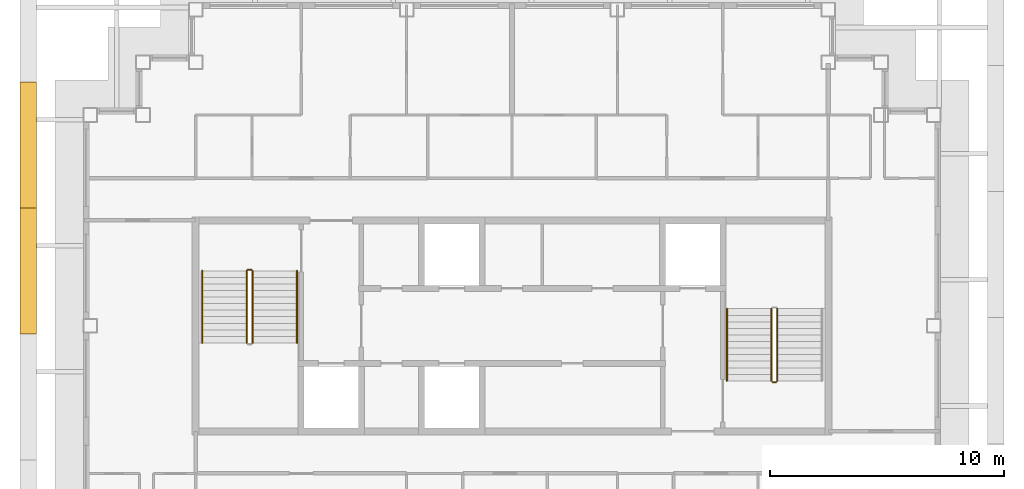
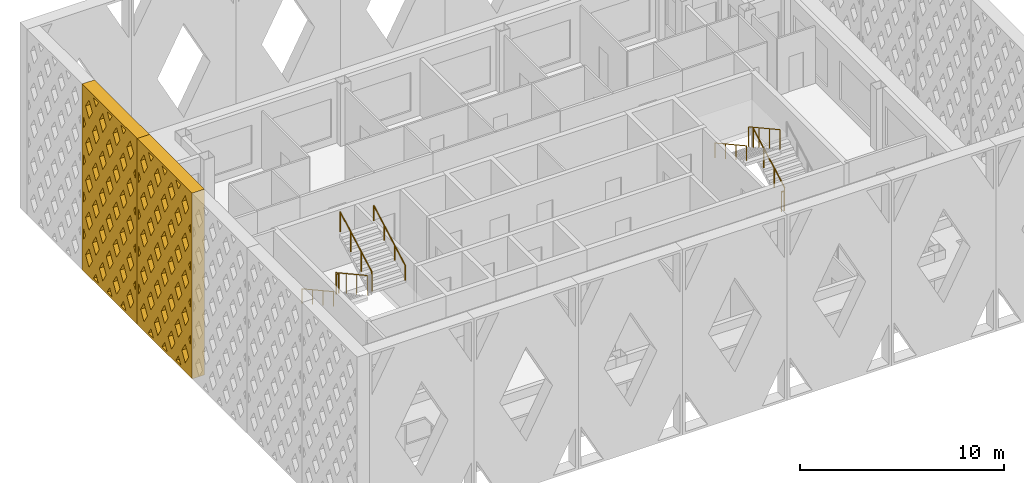
# One storey, part 10 of 13: 9 railings, 2 shading devices.
"""IFC4 building model written with IfcOpenShell, lengths in metres."""

from ifc_helpers import new_model, si_unit, direction, frame, origin, origin_2d, place, context, subcontext, project, spatial, polyline, circle, outline, extrude, material, type_object, element, save


model = new_model("IFC4")

# Units and contexts
model_context = context("Model", 3, precision=1e-05, world=origin(), true_north=direction((0.0, 1.0)))
body_context = subcontext(model_context, "Body", "Model", "MODEL_VIEW")
ifc_project = project(units=[si_unit("LENGTHUNIT", "METRE"), si_unit("AREAUNIT", "SQUARE_METRE"), si_unit("VOLUMEUNIT", "CUBIC_METRE"), si_unit("PLANEANGLEUNIT", "RADIAN"), si_unit("MASSUNIT", "GRAM", prefix="KILO")], contexts=[model_context])

# Site, building, storey
site_placement = place(None, origin())
site = spatial("IfcSite", under=ifc_project, at=site_placement, CompositionType="ELEMENT")
building_placement = place(site_placement, origin())
building = spatial("IfcBuilding", under=site, at=building_placement, Name="Caravel Reach Hotel and Residences", CompositionType="ELEMENT")
storey_placement = place(building_placement, frame((0.0, 0.0, 283.39990234375)))
storey = spatial("IfcBuildingStorey", under=building, at=storey_placement, Name="L72", CompositionType="ELEMENT", Elevation=283.39990234375)

# Shading devices
ifc_material_1 = material(Name="Black powder-coated aluminium", Category="aluminium")
shading_device_type = type_object("IfcShadingDeviceType", Name="Diamond lattice screen panel 5383 x 11100", PredefinedType="USERDEFINED", material=ifc_material_1)
shading_device_1_placement = place(storey_placement, frame((11.199951171875, 37.416748046875, 0.0), z_axis=(-1.0, 0.0, 0.0), x_axis=(0.0, -1.0, 0.0)))
element("IfcShadingDevice", 1, at=shading_device_1_placement, inside=storey, type_object=shading_device_type, Name="Lattice screen L72-L74 3.2", ObjectType="SCREEN", PredefinedType="USERDEFINED", context=body_context, shape_type="SweptSolid", body=[
    extrude(outline(polyline([(0.0, 0.0), (5.38330078125, 0.0), (5.38330078125, 11.10009765625), (0.0, 11.10009765625), (0.0, 0.0)]), holes=[polyline([(0.338134765625, 2.219970703125), (0.14990234375, 2.530517578125), (0.14990234375, 1.90966796875), (0.338134765625, 2.219970703125)]), polyline([(0.338134765625, 4.43994140625), (0.14990234375, 4.75048828125), (0.14990234375, 4.129638671875), (0.338134765625, 4.43994140625)]), polyline([(0.338134765625, 6.659912109375), (0.14990234375, 6.970458984375), (0.14990234375, 6.349609375), (0.338134765625, 6.659912109375)]), polyline([(0.338134765625, 8.8798828125), (0.14990234375, 9.1904296875), (0.14990234375, 8.569580078125), (0.338134765625, 8.8798828125)]), polyline([(0.6728515625, 1.667724609375), (0.334716796875, 1.110107421875), (0.6728515625, 0.55224609375), (1.010986328125, 1.110107421875), (0.6728515625, 1.667724609375)]), polyline([(0.6728515625, 3.887939453125), (0.334716796875, 3.330078125), (0.6728515625, 2.772216796875), (1.010986328125, 3.330078125), (0.6728515625, 3.887939453125)]), polyline([(0.6728515625, 6.10791015625), (0.334716796875, 5.550048828125), (0.6728515625, 4.9921875), (1.010986328125, 5.550048828125), (0.6728515625, 6.10791015625)]), polyline([(0.6728515625, 8.327880859375), (0.334716796875, 7.77001953125), (0.6728515625, 7.212158203125), (1.010986328125, 7.77001953125), (0.6728515625, 8.327880859375)]), polyline([(0.6728515625, 10.5478515625), (0.334716796875, 9.989990234375), (0.6728515625, 9.43212890625), (1.010986328125, 9.989990234375), (0.6728515625, 10.5478515625)]), polyline([(1.345947265625, 0.557861328125), (1.0986328125, 0.14990234375), (1.593017578125, 0.14990234375), (1.345947265625, 0.557861328125)]), polyline([(1.345947265625, 2.77783203125), (1.007568359375, 2.219970703125), (1.345947265625, 1.662109375), (1.68408203125, 2.219970703125), (1.345947265625, 2.77783203125)]), polyline([(1.345947265625, 4.997802734375), (1.007568359375, 4.43994140625), (1.345947265625, 3.882080078125), (1.68408203125, 4.43994140625), (1.345947265625, 4.997802734375)]), polyline([(1.345947265625, 7.2177734375), (1.007568359375, 6.659912109375), (1.345947265625, 6.10205078125), (1.68408203125, 6.659912109375), (1.345947265625, 7.2177734375)]), polyline([(1.345947265625, 9.437744140625), (1.007568359375, 8.8798828125), (1.345947265625, 8.322265625), (1.68408203125, 8.8798828125), (1.345947265625, 9.437744140625)]), polyline([(1.345947265625, 10.542236328125), (1.593017578125, 10.949951171875), (1.0986328125, 10.949951171875), (1.345947265625, 10.542236328125)]), polyline([(2.018798828125, 1.667724609375), (1.6806640625, 1.110107421875), (2.018798828125, 0.55224609375), (2.35693359375, 1.110107421875), (2.018798828125, 1.667724609375)]), polyline([(2.018798828125, 3.887939453125), (1.6806640625, 3.330078125), (2.018798828125, 2.772216796875), (2.35693359375, 3.330078125), (2.018798828125, 3.887939453125)]), polyline([(2.018798828125, 6.10791015625), (1.6806640625, 5.550048828125), (2.018798828125, 4.9921875), (2.35693359375, 5.550048828125), (2.018798828125, 6.10791015625)]), polyline([(2.018798828125, 8.327880859375), (1.6806640625, 7.77001953125), (2.018798828125, 7.212158203125), (2.35693359375, 7.77001953125), (2.018798828125, 8.327880859375)]), polyline([(2.018798828125, 10.5478515625), (1.6806640625, 9.989990234375), (2.018798828125, 9.43212890625), (2.35693359375, 9.989990234375), (2.018798828125, 10.5478515625)]), polyline([(2.691650390625, 0.557861328125), (2.4443359375, 0.14990234375), (2.93896484375, 0.14990234375), (2.691650390625, 0.557861328125)]), polyline([(2.691650390625, 2.77783203125), (2.353515625, 2.219970703125), (2.691650390625, 1.662109375), (3.02978515625, 2.219970703125), (2.691650390625, 2.77783203125)]), polyline([(2.691650390625, 4.997802734375), (2.353515625, 4.43994140625), (2.691650390625, 3.882080078125), (3.02978515625, 4.43994140625), (2.691650390625, 4.997802734375)]), polyline([(2.691650390625, 7.2177734375), (2.353515625, 6.659912109375), (2.691650390625, 6.10205078125), (3.02978515625, 6.659912109375), (2.691650390625, 7.2177734375)]), polyline([(2.691650390625, 9.437744140625), (2.353515625, 8.8798828125), (2.691650390625, 8.322265625), (3.02978515625, 8.8798828125), (2.691650390625, 9.437744140625)]), polyline([(2.691650390625, 10.542236328125), (2.93896484375, 10.949951171875), (2.4443359375, 10.949951171875), (2.691650390625, 10.542236328125)]), polyline([(3.364501953125, 1.667724609375), (3.0263671875, 1.110107421875), (3.364501953125, 0.55224609375), (3.702880859375, 1.110107421875), (3.364501953125, 1.667724609375)]), polyline([(3.364501953125, 3.887939453125), (3.0263671875, 3.330078125), (3.364501953125, 2.772216796875), (3.702880859375, 3.330078125), (3.364501953125, 3.887939453125)]), polyline([(3.364501953125, 6.10791015625), (3.0263671875, 5.550048828125), (3.364501953125, 4.9921875), (3.702880859375, 5.550048828125), (3.364501953125, 6.10791015625)]), polyline([(3.364501953125, 8.327880859375), (3.0263671875, 7.77001953125), (3.364501953125, 7.212158203125), (3.702880859375, 7.77001953125), (3.364501953125, 8.327880859375)]), polyline([(3.364501953125, 10.5478515625), (3.0263671875, 9.989990234375), (3.364501953125, 9.43212890625), (3.702880859375, 9.989990234375), (3.364501953125, 10.5478515625)]), polyline([(4.03759765625, 0.557861328125), (3.790283203125, 0.14990234375), (4.28466796875, 0.14990234375), (4.03759765625, 0.557861328125)]), polyline([(4.03759765625, 2.77783203125), (3.69921875, 2.219970703125), (4.03759765625, 1.662109375), (4.375732421875, 2.219970703125), (4.03759765625, 2.77783203125)]), polyline([(4.03759765625, 4.997802734375), (3.69921875, 4.43994140625), (4.03759765625, 3.882080078125), (4.375732421875, 4.43994140625), (4.03759765625, 4.997802734375)]), polyline([(4.03759765625, 7.2177734375), (3.69921875, 6.659912109375), (4.03759765625, 6.10205078125), (4.375732421875, 6.659912109375), (4.03759765625, 7.2177734375)]), polyline([(4.03759765625, 9.437744140625), (3.69921875, 8.8798828125), (4.03759765625, 8.322265625), (4.375732421875, 8.8798828125), (4.03759765625, 9.437744140625)]), polyline([(4.03759765625, 10.542236328125), (4.28466796875, 10.949951171875), (3.790283203125, 10.949951171875), (4.03759765625, 10.542236328125)]), polyline([(4.71044921875, 1.667724609375), (4.372314453125, 1.110107421875), (4.71044921875, 0.55224609375), (5.048583984375, 1.110107421875), (4.71044921875, 1.667724609375)]), polyline([(4.71044921875, 3.887939453125), (4.372314453125, 3.330078125), (4.71044921875, 2.772216796875), (5.048583984375, 3.330078125), (4.71044921875, 3.887939453125)]), polyline([(4.71044921875, 6.10791015625), (4.372314453125, 5.550048828125), (4.71044921875, 4.9921875), (5.048583984375, 5.550048828125), (4.71044921875, 6.10791015625)]), polyline([(4.71044921875, 8.327880859375), (4.372314453125, 7.77001953125), (4.71044921875, 7.212158203125), (5.048583984375, 7.77001953125), (4.71044921875, 8.327880859375)]), polyline([(4.71044921875, 10.5478515625), (4.372314453125, 9.989990234375), (4.71044921875, 9.43212890625), (5.048583984375, 9.989990234375), (4.71044921875, 10.5478515625)]), polyline([(5.045166015625, 2.219970703125), (5.2333984375, 1.90966796875), (5.2333984375, 2.530517578125), (5.045166015625, 2.219970703125)]), polyline([(5.045166015625, 4.43994140625), (5.2333984375, 4.129638671875), (5.2333984375, 4.75048828125), (5.045166015625, 4.43994140625)]), polyline([(5.045166015625, 6.659912109375), (5.2333984375, 6.349609375), (5.2333984375, 6.970458984375), (5.045166015625, 6.659912109375)]), polyline([(5.045166015625, 8.8798828125), (5.2333984375, 8.569580078125), (5.2333984375, 9.1904296875), (5.045166015625, 8.8798828125)])]), origin(), (0.0, 0.0, 1.0), 0.699951171875),
])
shading_device_2_placement = place(storey_placement, frame((11.199951171875, 32.033447265625, 0.0), z_axis=(-1.0, 0.0, 0.0), x_axis=(0.0, -1.0, 0.0)))
element("IfcShadingDevice", 2, at=shading_device_2_placement, inside=storey, type_object=shading_device_type, Name="Lattice screen L72-L74 3.3", ObjectType="SCREEN", PredefinedType="USERDEFINED", context=body_context, shape_type="SweptSolid", body=[
    extrude(outline(polyline([(0.0, 0.0), (5.38330078125, 0.0), (5.38330078125, 11.10009765625), (0.0, 11.10009765625), (0.0, 0.0)]), holes=[polyline([(0.338134765625, 2.219970703125), (0.14990234375, 2.530517578125), (0.14990234375, 1.90966796875), (0.338134765625, 2.219970703125)]), polyline([(0.338134765625, 4.43994140625), (0.14990234375, 4.75048828125), (0.14990234375, 4.129638671875), (0.338134765625, 4.43994140625)]), polyline([(0.338134765625, 6.659912109375), (0.14990234375, 6.970458984375), (0.14990234375, 6.349609375), (0.338134765625, 6.659912109375)]), polyline([(0.338134765625, 8.8798828125), (0.14990234375, 9.1904296875), (0.14990234375, 8.569580078125), (0.338134765625, 8.8798828125)]), polyline([(0.6728515625, 1.667724609375), (0.334716796875, 1.110107421875), (0.6728515625, 0.55224609375), (1.010986328125, 1.110107421875), (0.6728515625, 1.667724609375)]), polyline([(0.6728515625, 3.887939453125), (0.334716796875, 3.330078125), (0.6728515625, 2.772216796875), (1.010986328125, 3.330078125), (0.6728515625, 3.887939453125)]), polyline([(0.6728515625, 6.10791015625), (0.334716796875, 5.550048828125), (0.6728515625, 4.9921875), (1.010986328125, 5.550048828125), (0.6728515625, 6.10791015625)]), polyline([(0.6728515625, 8.327880859375), (0.334716796875, 7.77001953125), (0.6728515625, 7.212158203125), (1.010986328125, 7.77001953125), (0.6728515625, 8.327880859375)]), polyline([(0.6728515625, 10.5478515625), (0.334716796875, 9.989990234375), (0.6728515625, 9.43212890625), (1.010986328125, 9.989990234375), (0.6728515625, 10.5478515625)]), polyline([(1.345947265625, 0.557861328125), (1.0986328125, 0.14990234375), (1.593017578125, 0.14990234375), (1.345947265625, 0.557861328125)]), polyline([(1.345947265625, 2.77783203125), (1.007568359375, 2.219970703125), (1.345947265625, 1.662109375), (1.68408203125, 2.219970703125), (1.345947265625, 2.77783203125)]), polyline([(1.345947265625, 4.997802734375), (1.007568359375, 4.43994140625), (1.345947265625, 3.882080078125), (1.68408203125, 4.43994140625), (1.345947265625, 4.997802734375)]), polyline([(1.345947265625, 7.2177734375), (1.007568359375, 6.659912109375), (1.345947265625, 6.10205078125), (1.68408203125, 6.659912109375), (1.345947265625, 7.2177734375)]), polyline([(1.345947265625, 9.437744140625), (1.007568359375, 8.8798828125), (1.345947265625, 8.322265625), (1.68408203125, 8.8798828125), (1.345947265625, 9.437744140625)]), polyline([(1.345947265625, 10.542236328125), (1.593017578125, 10.949951171875), (1.0986328125, 10.949951171875), (1.345947265625, 10.542236328125)]), polyline([(2.018798828125, 1.667724609375), (1.6806640625, 1.110107421875), (2.018798828125, 0.55224609375), (2.35693359375, 1.110107421875), (2.018798828125, 1.667724609375)]), polyline([(2.018798828125, 3.887939453125), (1.6806640625, 3.330078125), (2.018798828125, 2.772216796875), (2.35693359375, 3.330078125), (2.018798828125, 3.887939453125)]), polyline([(2.018798828125, 6.10791015625), (1.6806640625, 5.550048828125), (2.018798828125, 4.9921875), (2.35693359375, 5.550048828125), (2.018798828125, 6.10791015625)]), polyline([(2.018798828125, 8.327880859375), (1.6806640625, 7.77001953125), (2.018798828125, 7.212158203125), (2.35693359375, 7.77001953125), (2.018798828125, 8.327880859375)]), polyline([(2.018798828125, 10.5478515625), (1.6806640625, 9.989990234375), (2.018798828125, 9.43212890625), (2.35693359375, 9.989990234375), (2.018798828125, 10.5478515625)]), polyline([(2.691650390625, 0.557861328125), (2.4443359375, 0.14990234375), (2.93896484375, 0.14990234375), (2.691650390625, 0.557861328125)]), polyline([(2.691650390625, 2.77783203125), (2.353515625, 2.219970703125), (2.691650390625, 1.662109375), (3.02978515625, 2.219970703125), (2.691650390625, 2.77783203125)]), polyline([(2.691650390625, 4.997802734375), (2.353515625, 4.43994140625), (2.691650390625, 3.882080078125), (3.02978515625, 4.43994140625), (2.691650390625, 4.997802734375)]), polyline([(2.691650390625, 7.2177734375), (2.353515625, 6.659912109375), (2.691650390625, 6.10205078125), (3.02978515625, 6.659912109375), (2.691650390625, 7.2177734375)]), polyline([(2.691650390625, 9.437744140625), (2.353515625, 8.8798828125), (2.691650390625, 8.322265625), (3.02978515625, 8.8798828125), (2.691650390625, 9.437744140625)]), polyline([(2.691650390625, 10.542236328125), (2.93896484375, 10.949951171875), (2.4443359375, 10.949951171875), (2.691650390625, 10.542236328125)]), polyline([(3.364501953125, 1.667724609375), (3.0263671875, 1.110107421875), (3.364501953125, 0.55224609375), (3.702880859375, 1.110107421875), (3.364501953125, 1.667724609375)]), polyline([(3.364501953125, 3.887939453125), (3.0263671875, 3.330078125), (3.364501953125, 2.772216796875), (3.702880859375, 3.330078125), (3.364501953125, 3.887939453125)]), polyline([(3.364501953125, 6.10791015625), (3.0263671875, 5.550048828125), (3.364501953125, 4.9921875), (3.702880859375, 5.550048828125), (3.364501953125, 6.10791015625)]), polyline([(3.364501953125, 8.327880859375), (3.0263671875, 7.77001953125), (3.364501953125, 7.212158203125), (3.702880859375, 7.77001953125), (3.364501953125, 8.327880859375)]), polyline([(3.364501953125, 10.5478515625), (3.0263671875, 9.989990234375), (3.364501953125, 9.43212890625), (3.702880859375, 9.989990234375), (3.364501953125, 10.5478515625)]), polyline([(4.03759765625, 0.557861328125), (3.790283203125, 0.14990234375), (4.28466796875, 0.14990234375), (4.03759765625, 0.557861328125)]), polyline([(4.03759765625, 2.77783203125), (3.69921875, 2.219970703125), (4.03759765625, 1.662109375), (4.375732421875, 2.219970703125), (4.03759765625, 2.77783203125)]), polyline([(4.03759765625, 4.997802734375), (3.69921875, 4.43994140625), (4.03759765625, 3.882080078125), (4.375732421875, 4.43994140625), (4.03759765625, 4.997802734375)]), polyline([(4.03759765625, 7.2177734375), (3.69921875, 6.659912109375), (4.03759765625, 6.10205078125), (4.375732421875, 6.659912109375), (4.03759765625, 7.2177734375)]), polyline([(4.03759765625, 9.437744140625), (3.69921875, 8.8798828125), (4.03759765625, 8.322265625), (4.375732421875, 8.8798828125), (4.03759765625, 9.437744140625)]), polyline([(4.03759765625, 10.542236328125), (4.28466796875, 10.949951171875), (3.790283203125, 10.949951171875), (4.03759765625, 10.542236328125)]), polyline([(4.71044921875, 1.667724609375), (4.372314453125, 1.110107421875), (4.71044921875, 0.55224609375), (5.048583984375, 1.110107421875), (4.71044921875, 1.667724609375)]), polyline([(4.71044921875, 3.887939453125), (4.372314453125, 3.330078125), (4.71044921875, 2.772216796875), (5.048583984375, 3.330078125), (4.71044921875, 3.887939453125)]), polyline([(4.71044921875, 6.10791015625), (4.372314453125, 5.550048828125), (4.71044921875, 4.9921875), (5.048583984375, 5.550048828125), (4.71044921875, 6.10791015625)]), polyline([(4.71044921875, 8.327880859375), (4.372314453125, 7.77001953125), (4.71044921875, 7.212158203125), (5.048583984375, 7.77001953125), (4.71044921875, 8.327880859375)]), polyline([(4.71044921875, 10.5478515625), (4.372314453125, 9.989990234375), (4.71044921875, 9.43212890625), (5.048583984375, 9.989990234375), (4.71044921875, 10.5478515625)]), polyline([(5.045166015625, 2.219970703125), (5.2333984375, 1.90966796875), (5.2333984375, 2.530517578125), (5.045166015625, 2.219970703125)]), polyline([(5.045166015625, 4.43994140625), (5.2333984375, 4.129638671875), (5.2333984375, 4.75048828125), (5.045166015625, 4.43994140625)]), polyline([(5.045166015625, 6.659912109375), (5.2333984375, 6.349609375), (5.2333984375, 6.970458984375), (5.045166015625, 6.659912109375)]), polyline([(5.045166015625, 8.8798828125), (5.2333984375, 8.569580078125), (5.2333984375, 9.1904296875), (5.045166015625, 8.8798828125)])]), origin(), (0.0, 0.0, 1.0), 0.699951171875),
])

# Railings
ifc_material_2 = material(Name="Steel balustrade with glass infill", Category="steel")
railing_type_1 = type_object("IfcRailingType", Name="Guard 1200", PredefinedType="GUARDRAIL", material=ifc_material_2)
railing_1_placement = place(storey_placement, frame((20.175048828125, 29.35009765625, 0.154296875)))
element("IfcRailing", 3, at=railing_1_placement, inside=storey, type_object=railing_type_1, Name="L72 ST-A stair guard 1", PredefinedType="GUARDRAIL", context=body_context, shape_type="SweptSolid", body=[
    extrude(circle(Radius=0.02392578125, at=origin_2d()), frame((0.0, 0.0, 1.17578125), z_axis=(0.0, -0.876004717809, 0.482302534076), x_axis=(1.0, 0.0, 0.0)), (0.0, 0.0, 1.0), 3.51611328125),
    extrude(circle(Radius=0.02099609375, at=origin_2d()), origin(), (0.0, 0.0, 1.0), 1.15185546875),
    extrude(circle(Radius=0.02099609375, at=origin_2d()), frame((0.0, -1.026611328125, 0.565185546875)), (0.0, 0.0, 1.0), 1.15185546875),
    extrude(circle(Radius=0.02099609375, at=origin_2d()), frame((0.0, -2.053466796875, 1.130615234375)), (0.0, 0.0, 1.0), 1.15185546875),
    extrude(circle(Radius=0.02099609375, at=origin_2d()), frame((0.0, -3.080078125, 1.69580078125)), (0.0, 0.0, 1.0), 1.15185546875),
])
railing_2_placement = place(storey_placement, frame((20.425048828125, 26.27001953125, 2.004150390625)))
element("IfcRailing", 4, at=railing_2_placement, inside=storey, type_object=railing_type_1, Name="L72 ST-A stair guard 3", PredefinedType="GUARDRAIL", context=body_context, shape_type="SweptSolid", body=[
    extrude(circle(Radius=0.02392578125, at=origin_2d()), frame((0.0, 0.0, 1.17578125), z_axis=(0.0, 0.875975380505, 0.482355815502), x_axis=(-1.0, 0.0, 0.0)), (0.0, 0.0, 1.0), 3.51611328125),
    extrude(circle(Radius=0.02099609375, at=origin_2d()), origin(), (0.0, 0.0, 1.0), 1.15185546875),
    extrude(circle(Radius=0.02099609375, at=origin_2d()), frame((0.0, 1.026611328125, 0.5654296875)), (0.0, 0.0, 1.0), 1.15185546875),
    extrude(circle(Radius=0.02099609375, at=origin_2d()), frame((0.0, 2.053466796875, 1.130615234375)), (0.0, 0.0, 1.0), 1.15185546875),
    extrude(circle(Radius=0.02099609375, at=origin_2d()), frame((0.0, 3.080078125, 1.696044921875)), (0.0, 0.0, 1.0), 1.15185546875),
])
railing_3_placement = place(storey_placement, frame((20.22509765625, 29.39990234375, 0.0)))
element("IfcRailing", 5, at=railing_3_placement, inside=storey, type_object=railing_type_1, Name="L72 ST-A stair guard 4", PredefinedType="GUARDRAIL", context=body_context, shape_type="SweptSolid", body=[
    extrude(circle(Radius=0.02392578125, at=origin_2d()), frame((0.0, 0.0, 1.17578125), z_axis=(1.0, 0.0, 0.0), x_axis=(0.0, 1.0, 0.0)), (0.0, 0.0, 1.0), 0.14990234375),
    extrude(circle(Radius=0.02099609375, at=origin_2d()), origin(), (0.0, 0.0, 1.0), 1.15185546875),
    extrude(circle(Radius=0.02099609375, at=origin_2d()), frame((0.14990234375, 0.0, 0.0)), (0.0, 0.0, 1.0), 1.15185546875),
])
railing_4_placement = place(storey_placement, frame((42.824951171875, 24.64990234375, 0.154296875)))
element("IfcRailing", 6, at=railing_4_placement, inside=storey, type_object=railing_type_1, Name="L72 ST-B stair guard 1", PredefinedType="GUARDRAIL", context=body_context, shape_type="SweptSolid", body=[
    extrude(circle(Radius=0.02392578125, at=origin_2d()), frame((0.0, 0.0, 1.17578125), z_axis=(0.0, 0.876004717809, 0.482302534076), x_axis=(-1.0, 0.0, 0.0)), (0.0, 0.0, 1.0), 3.51611328125),
    extrude(circle(Radius=0.02099609375, at=origin_2d()), origin(), (0.0, 0.0, 1.0), 1.15185546875),
    extrude(circle(Radius=0.02099609375, at=origin_2d()), frame((0.0, 1.026611328125, 0.565185546875)), (0.0, 0.0, 1.0), 1.15185546875),
    extrude(circle(Radius=0.02099609375, at=origin_2d()), frame((0.0, 2.053466796875, 1.130615234375)), (0.0, 0.0, 1.0), 1.15185546875),
    extrude(circle(Radius=0.02099609375, at=origin_2d()), frame((0.0, 3.080078125, 1.69580078125)), (0.0, 0.0, 1.0), 1.15185546875),
])
railing_5_placement = place(storey_placement, frame((42.574951171875, 27.72998046875, 2.004150390625)))
element("IfcRailing", 7, at=railing_5_placement, inside=storey, type_object=railing_type_1, Name="L72 ST-B stair guard 3", PredefinedType="GUARDRAIL", context=body_context, shape_type="SweptSolid", body=[
    extrude(circle(Radius=0.02392578125, at=origin_2d()), frame((0.0, 0.0, 1.17578125), z_axis=(0.0, -0.875975380505, 0.482355815502), x_axis=(1.0, 0.0, 0.0)), (0.0, 0.0, 1.0), 3.51611328125),
    extrude(circle(Radius=0.02099609375, at=origin_2d()), origin(), (0.0, 0.0, 1.0), 1.15185546875),
    extrude(circle(Radius=0.02099609375, at=origin_2d()), frame((0.0, -1.026611328125, 0.5654296875)), (0.0, 0.0, 1.0), 1.15185546875),
    extrude(circle(Radius=0.02099609375, at=origin_2d()), frame((0.0, -2.053466796875, 1.130615234375)), (0.0, 0.0, 1.0), 1.15185546875),
    extrude(circle(Radius=0.02099609375, at=origin_2d()), frame((0.0, -3.080078125, 1.696044921875)), (0.0, 0.0, 1.0), 1.15185546875),
])
railing_6_placement = place(storey_placement, frame((42.77490234375, 24.60009765625, 0.0)))
element("IfcRailing", 8, at=railing_6_placement, inside=storey, type_object=railing_type_1, Name="L72 ST-B stair guard 4", PredefinedType="GUARDRAIL", context=body_context, shape_type="SweptSolid", body=[
    extrude(circle(Radius=0.02392578125, at=origin_2d()), frame((0.0, 0.0, 1.17578125), z_axis=(-1.0, 0.0, 0.0), x_axis=(0.0, -1.0, 0.0)), (0.0, 0.0, 1.0), 0.14990234375),
    extrude(circle(Radius=0.02099609375, at=origin_2d()), origin(), (0.0, 0.0, 1.0), 1.15185546875),
    extrude(circle(Radius=0.02099609375, at=origin_2d()), frame((-0.14990234375, 0.0, 0.0)), (0.0, 0.0, 1.0), 1.15185546875),
])
ifc_material_3 = material(Name="Stainless steel handrail", Category="steel")
railing_type_2 = type_object("IfcRailingType", Name="Handrail 900", PredefinedType="HANDRAIL", material=ifc_material_3)
railing_7_placement = place(storey_placement, frame((18.27490234375, 29.35009765625, 0.154296875)))
element("IfcRailing", 9, at=railing_7_placement, inside=storey, type_object=railing_type_2, Name="L72 ST-A stair handrail 1", PredefinedType="HANDRAIL", context=body_context, shape_type="SweptSolid", body=[
    extrude(circle(Radius=0.02392578125, at=origin_2d()), frame((0.0, 0.0, 0.8759765625), z_axis=(0.0, -0.876004717809, 0.482302534076), x_axis=(1.0, 0.0, 0.0)), (0.0, 0.0, 1.0), 3.51611328125),
    extrude(circle(Radius=0.02099609375, at=origin_2d()), origin(), (0.0, 0.0, 1.0), 0.851806640625),
    extrude(circle(Radius=0.02099609375, at=origin_2d()), frame((0.0, -1.026611328125, 0.565185546875)), (0.0, 0.0, 1.0), 0.851806640625),
    extrude(circle(Radius=0.02099609375, at=origin_2d()), frame((0.0, -2.053466796875, 1.130615234375)), (0.0, 0.0, 1.0), 0.851806640625),
    extrude(circle(Radius=0.02099609375, at=origin_2d()), frame((0.0, -3.080078125, 1.69580078125)), (0.0, 0.0, 1.0), 0.851806640625),
])
railing_8_placement = place(storey_placement, frame((22.324951171875, 26.27001953125, 2.004150390625)))
element("IfcRailing", 10, at=railing_8_placement, inside=storey, type_object=railing_type_2, Name="L72 ST-A stair handrail 2", PredefinedType="HANDRAIL", context=body_context, shape_type="SweptSolid", body=[
    extrude(circle(Radius=0.02392578125, at=origin_2d()), frame((0.0, 0.0, 0.8759765625), z_axis=(0.0, 0.875975380505, 0.482355815502), x_axis=(-1.0, 0.0, 0.0)), (0.0, 0.0, 1.0), 3.51611328125),
    extrude(circle(Radius=0.02099609375, at=origin_2d()), origin(), (0.0, 0.0, 1.0), 0.851806640625),
    extrude(circle(Radius=0.02099609375, at=origin_2d()), frame((0.0, 1.026611328125, 0.5654296875)), (0.0, 0.0, 1.0), 0.851806640625),
    extrude(circle(Radius=0.02099609375, at=origin_2d()), frame((0.0, 2.053466796875, 1.130615234375)), (0.0, 0.0, 1.0), 0.851806640625),
    extrude(circle(Radius=0.02099609375, at=origin_2d()), frame((0.0, 3.080078125, 1.696044921875)), (0.0, 0.0, 1.0), 0.851806640625),
])
railing_9_placement = place(storey_placement, frame((40.675048828125, 27.72998046875, 2.004150390625)))
element("IfcRailing", 11, at=railing_9_placement, inside=storey, type_object=railing_type_2, Name="L72 ST-B stair handrail 2", PredefinedType="HANDRAIL", context=body_context, shape_type="SweptSolid", body=[
    extrude(circle(Radius=0.02392578125, at=origin_2d()), frame((0.0, 0.0, 0.8759765625), z_axis=(0.0, -0.875975380505, 0.482355815502), x_axis=(1.0, 0.0, 0.0)), (0.0, 0.0, 1.0), 3.51611328125),
    extrude(circle(Radius=0.02099609375, at=origin_2d()), origin(), (0.0, 0.0, 1.0), 0.851806640625),
    extrude(circle(Radius=0.02099609375, at=origin_2d()), frame((0.0, -1.026611328125, 0.5654296875)), (0.0, 0.0, 1.0), 0.851806640625),
    extrude(circle(Radius=0.02099609375, at=origin_2d()), frame((0.0, -2.053466796875, 1.130615234375)), (0.0, 0.0, 1.0), 0.851806640625),
    extrude(circle(Radius=0.02099609375, at=origin_2d()), frame((0.0, -3.080078125, 1.696044921875)), (0.0, 0.0, 1.0), 0.851806640625),
])

save(model, "model.ifc")
